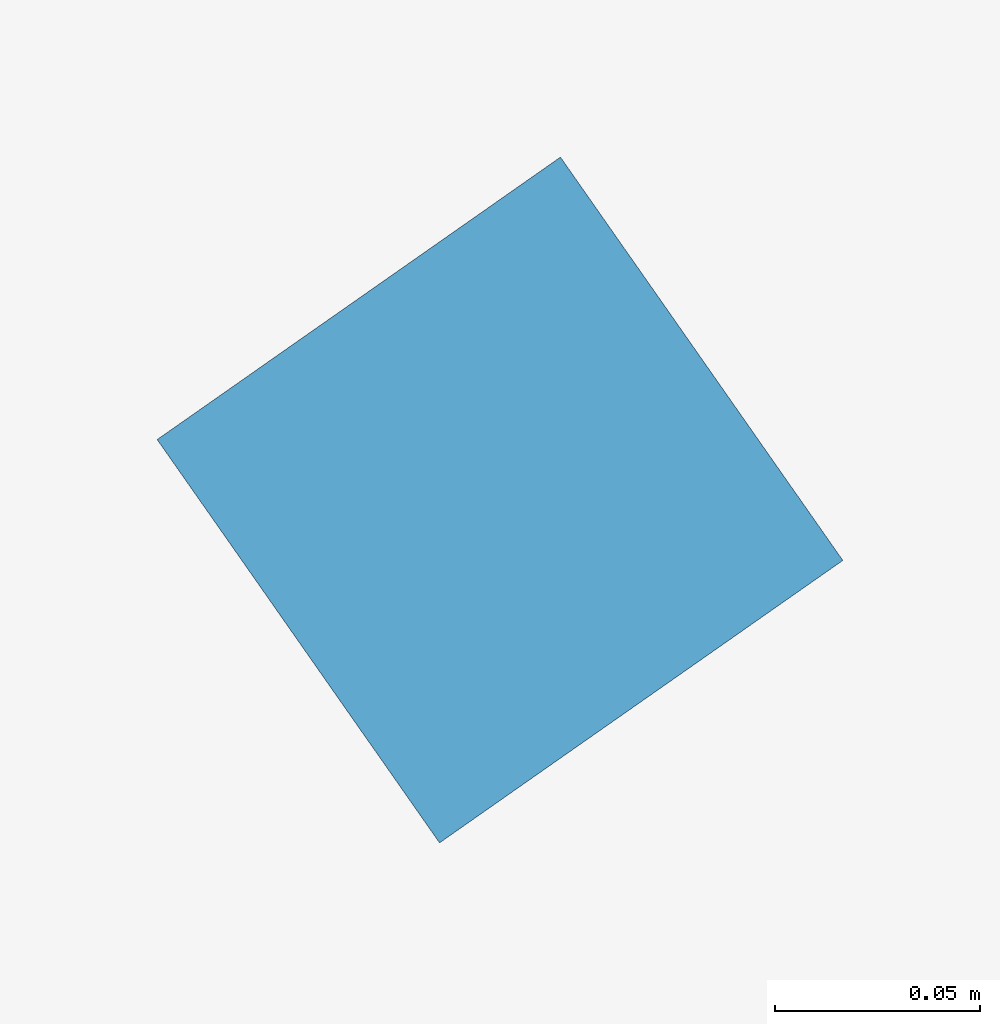
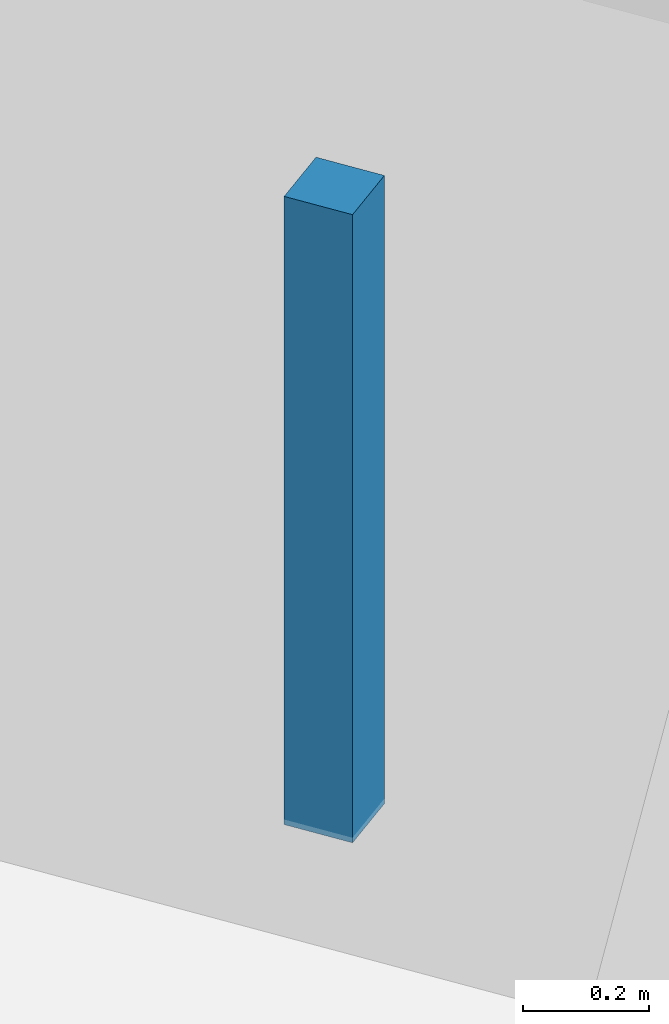
# One storey, part 14 of 17: 1 discrete accessory.
"""IFC4 building model written with IfcOpenShell, lengths in metres."""

from ifc_helpers import new_model, si_unit, direction, frame, origin, origin_2d, place, context, subcontext, project, spatial, rectangle, extrude, source, transform, mapped, material, type_object, element, save


model = new_model("IFC4")

# Units and contexts
model_context = context("Model", 3, precision=1e-05, world=origin(), true_north=direction((0.0, 1.0)))
body_context = subcontext(model_context, "Body", "Model", "MODEL_VIEW")
ifc_project = project(units=[si_unit("LENGTHUNIT", "METRE"), si_unit("AREAUNIT", "SQUARE_METRE"), si_unit("VOLUMEUNIT", "CUBIC_METRE"), si_unit("PLANEANGLEUNIT", "RADIAN"), si_unit("MASSUNIT", "GRAM", prefix="KILO")], contexts=[model_context])

# Site, building, storey
site_placement = place(None, origin())
site = spatial("IfcSite", under=ifc_project, at=site_placement, CompositionType="ELEMENT")
building_placement = place(site_placement, origin())
building = spatial("IfcBuilding", under=site, at=building_placement, Name="Torre Montelarca", CompositionType="ELEMENT")
storey_placement = place(building_placement, frame((0.0, 0.0, 298.800048828125)))
storey = spatial("IfcBuildingStorey", under=building, at=storey_placement, Name="L67", CompositionType="ELEMENT", Elevation=298.800048828125)

# Discrete accessory
ifc_material = material(Name="Galvanized steel suspension hanger", Category="steel")
discrete_accessory_type = type_object("IfcDiscreteAccessoryType", Name="ACC-CEIL-HNG", PredefinedType="BRACKET", material=ifc_material)
shared_shape = source(origin(), body_context, "Body", "SweptSolid", [
    extrude(rectangle(XDim=0.1201171875, YDim=0.1201171875, at=origin_2d()), origin(), (0.0, 0.0, 1.0), 1.219970703125),
])
discrete_accessory_placement = place(storey_placement, frame((31.126708984375, 25.922607421875, 2.759765625), z_axis=(0.0, 0.0, 1.0), x_axis=(-0.573576436351, 0.819152044289, 0.0)))
element("IfcDiscreteAccessory", 1, at=discrete_accessory_placement, inside=storey, type_object=discrete_accessory_type, Name="L67 Suspended Ceiling Hanger Bracket 01", PredefinedType="BRACKET", context=body_context, shape_type="MappedRepresentation", body=[
    mapped(shared_shape, transform((0.0, 0.0, 0.0), scale=1.0)),
])

save(model, "model.ifc")
